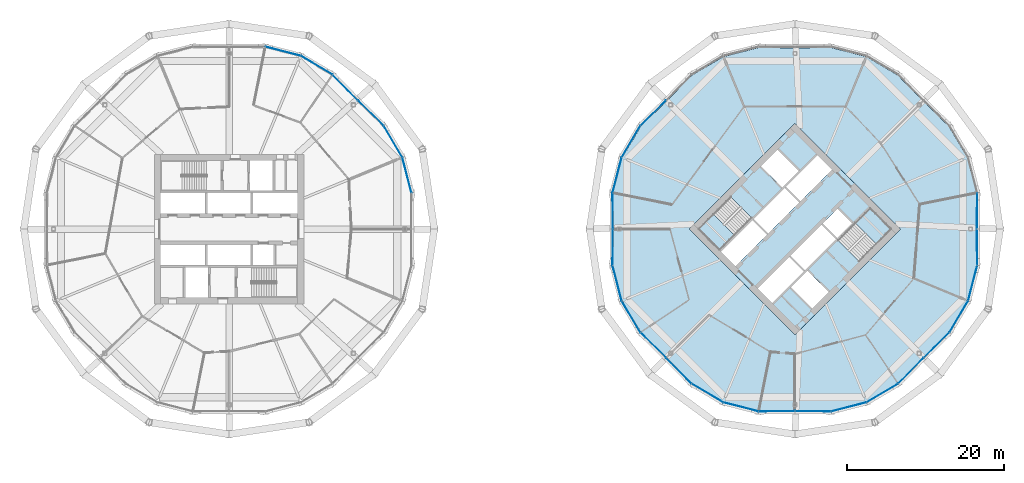
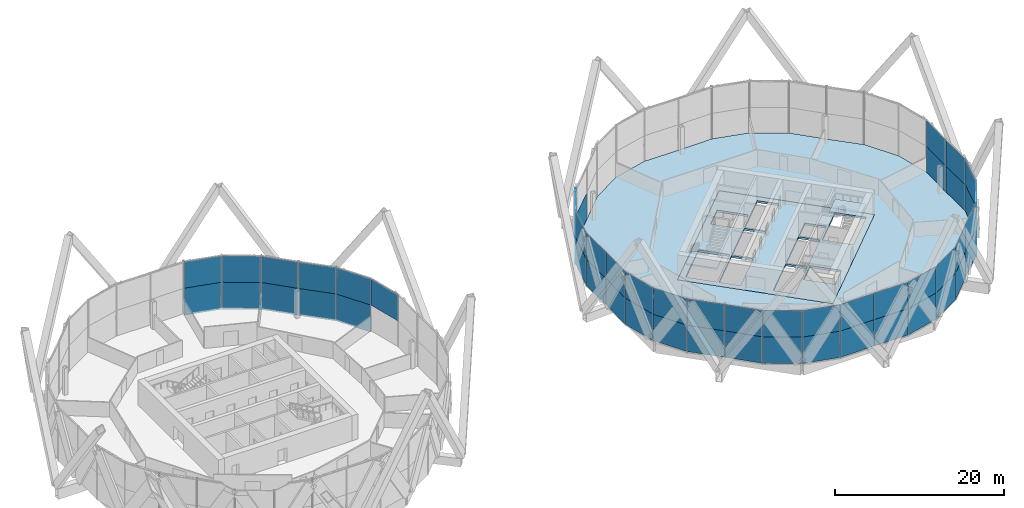
# One storey, part 20 of 28: 52 plates, 4 slabs, 10 elements without a shape of their own.
"""IFC4 building model written with IfcOpenShell, lengths in metres."""

from ifc_helpers import new_model, si_unit, direction, frame, origin, origin_2d, place, context, subcontext, project, spatial, polyline, rectangle, outline, extrude, material, layer, layer_set, type_object, element, aggregate, save


model = new_model("IFC4")

# Units and contexts
model_context = context("Model", 3, precision=1e-05, world=origin(), true_north=direction((0.0, 1.0)))
body_context = subcontext(model_context, "Body", "Model", "MODEL_VIEW")
ifc_project = project(units=[si_unit("LENGTHUNIT", "METRE"), si_unit("AREAUNIT", "SQUARE_METRE"), si_unit("VOLUMEUNIT", "CUBIC_METRE"), si_unit("PLANEANGLEUNIT", "RADIAN"), si_unit("MASSUNIT", "GRAM", prefix="KILO")], contexts=[model_context])

# Site, building, storey
site_placement = place(None, origin())
site = spatial("IfcSite", under=ifc_project, at=site_placement, CompositionType="ELEMENT")
building_placement = place(site_placement, origin())
building = spatial("IfcBuilding", under=site, at=building_placement, Name="Ogive Gate Towers", CompositionType="ELEMENT")
storey_placement = place(building_placement, frame((0.0, 0.0, 115.199951171875)))
storey = spatial("IfcBuildingStorey", under=building, at=storey_placement, Name="L27", CompositionType="ELEMENT", Elevation=115.199951171875)

# Slabs
ifc_material_1 = material(Name="Concrete C40/50", Category="concrete")
ifc_layer_1 = layer(ifc_material_1, 0.300048828125)
ifc_layer_set_1 = layer_set([ifc_layer_1], Name="Core slab C40/50 300 mm")
slab_type_1 = type_object("IfcSlabType", Name="Core slab C40/50 300 mm", PredefinedType="FLOOR", material=ifc_layer_set_1)
slab_1_placement = place(storey_placement, frame((0.0, 0.0, -0.300048828125)))
element("IfcSlab", 1, at=slab_1_placement, inside=storey, type_object=slab_type_1, Name="T2 L27 core slab", PredefinedType="FLOOR", context=body_context, shape_type="SweptSolid", body=[
    extrude(outline(polyline([(36.0, 13.43505859375), (49.43505859375, 0.0), (36.0, -13.43505859375), (22.56494140625, 0.0), (36.0, 13.43505859375)]), holes=[polyline([(30.590576171875, 1.13134765625), (26.577880859375, -2.881591796875), (28.43408203125, -4.737548828125), (32.44677734375, -0.724853515625), (30.590576171875, 1.13134765625)]), polyline([(36.548095703125, 3.37646484375), (34.69189453125, 5.232666015625), (30.767333984375, 1.30810546875), (32.62353515625, -0.548095703125), (36.548095703125, 3.37646484375)]), polyline([(36.724853515625, 3.55322265625), (40.737548828125, 7.56591796875), (38.881591796875, 9.422119140625), (34.86865234375, 5.409423828125), (36.724853515625, 3.55322265625)]), polyline([(31.262451171875, -7.56591796875), (33.118408203125, -9.422119140625), (37.13134765625, -5.409423828125), (35.275146484375, -3.55322265625), (31.262451171875, -7.56591796875)]), polyline([(39.37646484375, 0.548095703125), (35.451904296875, -3.37646484375), (37.30810546875, -5.232666015625), (41.232666015625, -1.30810546875), (39.37646484375, 0.548095703125)]), polyline([(43.283203125, 0.742431640625), (41.427001953125, 2.5986328125), (39.55322265625, 0.724853515625), (41.409423828125, -1.13134765625), (43.283203125, 0.742431640625)]), polyline([(34.408935546875, 5.30322265625), (36.4951171875, 7.389404296875), (33.790283203125, 10.093994140625), (31.704345703125, 8.008056640625), (34.408935546875, 5.30322265625)]), polyline([(35.5048828125, -7.389404296875), (38.209716796875, -10.093994140625), (40.295654296875, -8.008056640625), (37.591064453125, -5.30322265625), (35.5048828125, -7.389404296875)]), polyline([(26.40087890625, -2.70458984375), (30.512939453125, 1.406982421875), (27.80810546875, 4.11181640625), (23.6962890625, 0.0), (26.40087890625, -2.70458984375)]), polyline([(48.3037109375, 0.0), (45.59912109375, 2.70458984375), (41.487060546875, -1.406982421875), (44.19189453125, -4.11181640625), (48.3037109375, 0.0)])]), origin(), (0.0, 0.0, 1.0), 0.300048828125),
])
ifc_material_2 = material(Name="Concrete C35/45", Category="concrete")
ifc_layer_2 = layer(ifc_material_2, 0.300048828125)
ifc_layer_set_2 = layer_set([ifc_layer_2], Name="Floor slab 300")
slab_type_2 = type_object("IfcSlabType", Name="Floor slab 300", PredefinedType="FLOOR", material=ifc_layer_set_2)
slab_2_placement = place(storey_placement, frame((0.0, 0.0, -0.300048828125)))
element("IfcSlab", 2, at=slab_2_placement, inside=storey, type_object=slab_type_2, Name="T2/L27/SSL001", PredefinedType="FLOOR", context=body_context, shape_type="SweptSolid", body=[
    extrude(outline(polyline([(59.107421875, -4.596435546875), (59.06005859375, 0.0), (59.107421875, 4.596435546875), (57.951416015625, 9.092529296875), (55.58935546875, 13.08935546875), (52.305908203125, 16.305908203125), (49.08935546875, 19.58935546875), (45.092529296875, 21.951416015625), (40.596435546875, 23.107421875), (36.0, 23.06005859375), (31.403564453125, 23.107421875), (26.907470703125, 21.951416015625), (22.91064453125, 19.58935546875), (19.694091796875, 16.305908203125), (16.41064453125, 13.08935546875), (14.048583984375, 9.092529296875), (12.892578125, 4.596435546875), (12.93994140625, 0.0), (12.892578125, -4.596435546875), (14.048583984375, -9.092529296875), (16.41064453125, -13.08935546875), (19.694091796875, -16.305908203125), (22.91064453125, -19.58935546875), (26.907470703125, -21.951416015625), (31.403564453125, -23.107421875), (36.0, -23.06005859375), (40.596435546875, -23.107421875), (45.092529296875, -21.951416015625), (49.08935546875, -19.58935546875), (52.305908203125, -16.305908203125), (55.58935546875, -13.08935546875), (57.951416015625, -9.092529296875), (59.107421875, -4.596435546875)]), holes=[polyline([(49.43505859375, 0.0), (36.0, -13.43505859375), (22.56494140625, 0.0), (36.0, 13.43505859375), (49.43505859375, 0.0)])]), origin(), (0.0, 0.0, 1.0), 0.300048828125),
])

# Stair, slab
stair_type = type_object("IfcStairType", Name="Escape stair 1840 wide", PredefinedType="HALF_TURN_STAIR", material=ifc_material_1)
stair_1_placement = place(storey_placement, origin())
stair_1 = element("IfcStair", 3, at=stair_1_placement, inside=storey, type_object=stair_type, Name="L27 Escape stair 1", PredefinedType="HALF_TURN_STAIR")
ifc_layer_3 = layer(ifc_material_1, 0.199951171875)
ifc_layer_set_3 = layer_set([ifc_layer_3], Name="Stair landing 200 mm")
slab_type_3 = type_object("IfcSlabType", Name="Stair landing 200 mm", PredefinedType="LANDING", material=ifc_layer_set_3)
slab_3_placement = place(storey_placement, frame((0.0, 0.0, 1.75)))
slab_3 = element("IfcSlab", 4, at=slab_3_placement, type_object=slab_type_3, Name="ST1 landing 1", PredefinedType="LANDING", context=body_context, shape_type="SweptSolid", body=[
    extrude(outline(polyline([(25.6044921875, 1.908203125), (23.6962890625, 0.0), (26.401123046875, -2.70458984375), (28.309326171875, -0.79638671875), (25.6044921875, 1.908203125)])), origin(), (0.0, 0.0, 1.0), 0.199951171875),
])
aggregate(stair_1, [slab_3])

stair_2_placement = place(storey_placement, origin())
stair_2 = element("IfcStair", 5, at=stair_2_placement, inside=storey, type_object=stair_type, Name="L27 Escape stair 2", PredefinedType="HALF_TURN_STAIR")
slab_4_placement = place(storey_placement, frame((0.0, 0.0, 1.75)))
slab_4 = element("IfcSlab", 6, at=slab_4_placement, type_object=slab_type_3, Name="ST2 landing 1", PredefinedType="LANDING", context=body_context, shape_type="SweptSolid", body=[
    extrude(outline(polyline([(46.3955078125, -1.908203125), (48.3037109375, 0.0), (45.598876953125, 2.70458984375), (43.690673828125, 0.79638671875), (46.3955078125, -1.908203125)])), origin(), (0.0, 0.0, 1.0), 0.199951171875),
])
aggregate(stair_2, [slab_4])

# Curtain wall, plates
ifc_material_3 = material(Name="Pale metal aluminium", Category="aluminium")
curtain_wall_type = type_object("IfcCurtainWallType", Name="Tower unitised wall, low zone", PredefinedType="NOTDEFINED", material=ifc_material_3)
curtain_wall_1_placement = place(storey_placement, origin())
curtain_wall_1 = element("IfcCurtainWall", 7, at=curtain_wall_1_placement, inside=storey, type_object=curtain_wall_type, Name="CW1 T1 ECW01", PredefinedType="NOTDEFINED")
ifc_material_4 = material(Name="Clear glass", Category="glass")
ifc_layer_4 = layer(ifc_material_4, 0.028076171875)
ifc_layer_set_4 = layer_set([ifc_layer_4], Name="Tower unitised wall, low zone glass panel")
plate_type = type_object("IfcPlateType", Name="Tower unitised wall, low zone glass panel", PredefinedType="CURTAIN_PANEL", material=ifc_layer_set_4)
plate_1_placement = place(storey_placement, frame((-13.373779296875, 6.869873046875, 3.60009765625), z_axis=(0.0, 0.0, 1.0), x_axis=(-0.248977260623, 0.96850933072, 0.0)))
plate_1 = element("IfcPlate", 8, at=plate_1_placement, type_object=plate_type, Name="CW1 glass panel", PredefinedType="CURTAIN_PANEL", context=body_context, shape_type="SweptSolid", body=[
    extrude(rectangle(XDim=4.60791015625, YDim=0.028076171875, at=origin_2d()), origin(), (0.0, 0.0, 1.0), 3.803955078125),
])
plate_2_placement = place(storey_placement, frame((-15.143310546875, 11.141357421875, -0.2998046875), z_axis=(0.0, 0.0, 1.0), x_axis=(-0.508770980552, 0.860901904603, 0.0)))
plate_2 = element("IfcPlate", 9, at=plate_2_placement, type_object=plate_type, Name="CW1 glass panel", PredefinedType="CURTAIN_PANEL", context=body_context, shape_type="SweptSolid", body=[
    extrude(rectangle(XDim=4.60791015625, YDim=0.028076171875, at=origin_2d()), origin(), (0.0, 0.0, 1.0), 3.89990234375),
])
plate_3_placement = place(storey_placement, frame((-15.143310546875, 11.141357421875, 3.60009765625), z_axis=(0.0, 0.0, 1.0), x_axis=(-0.508770980552, 0.860901904603, 0.0)))
plate_3 = element("IfcPlate", 10, at=plate_3_placement, type_object=plate_type, Name="CW1 glass panel", PredefinedType="CURTAIN_PANEL", context=body_context, shape_type="SweptSolid", body=[
    extrude(rectangle(XDim=4.60791015625, YDim=0.028076171875, at=origin_2d()), origin(), (0.0, 0.0, 1.0), 3.803955078125),
])
plate_4_placement = place(storey_placement, frame((-17.978759765625, 14.765380859375, -0.2998046875), z_axis=(0.0, 0.0, 1.0), x_axis=(-0.714350554462, 0.699788028863, 0.0)))
plate_4 = element("IfcPlate", 11, at=plate_4_placement, type_object=plate_type, Name="CW1 glass panel", PredefinedType="CURTAIN_PANEL", context=body_context, shape_type="SweptSolid", body=[
    extrude(rectangle(XDim=4.55078125, YDim=0.028076171875, at=origin_2d()), origin(), (0.0, 0.0, 1.0), 3.89990234375),
])
plate_5_placement = place(storey_placement, frame((-17.978759765625, 14.765380859375, 3.60009765625), z_axis=(0.0, 0.0, 1.0), x_axis=(-0.714350554462, 0.699788028863, 0.0)))
plate_5 = element("IfcPlate", 12, at=plate_5_placement, type_object=plate_type, Name="CW1 glass panel", PredefinedType="CURTAIN_PANEL", context=body_context, shape_type="SweptSolid", body=[
    extrude(rectangle(XDim=4.55078125, YDim=0.028076171875, at=origin_2d()), origin(), (0.0, 0.0, 1.0), 3.803955078125),
])
aggregate(curtain_wall_1, [plate_1, plate_2, plate_3, plate_4, plate_5])

curtain_wall_2_placement = place(storey_placement, origin())
curtain_wall_2 = element("IfcCurtainWall", 13, at=curtain_wall_2_placement, inside=storey, type_object=curtain_wall_type, Name="CW1 T1 ECW02", PredefinedType="NOTDEFINED")
plate_6_placement = place(storey_placement, frame((-21.234619140625, 18.021240234375, -0.2998046875), z_axis=(0.0, 0.0, 1.0), x_axis=(-0.699788028863, 0.714350554462, 0.0)))
plate_6 = element("IfcPlate", 14, at=plate_6_placement, type_object=plate_type, Name="CW1 glass panel", PredefinedType="CURTAIN_PANEL", context=body_context, shape_type="SweptSolid", body=[
    extrude(rectangle(XDim=4.55078125, YDim=0.028076171875, at=origin_2d()), origin(), (0.0, 0.0, 1.0), 3.89990234375),
])
plate_7_placement = place(storey_placement, frame((-21.234619140625, 18.021240234375, 3.60009765625), z_axis=(0.0, 0.0, 1.0), x_axis=(-0.699788028863, 0.714350554462, 0.0)))
plate_7 = element("IfcPlate", 15, at=plate_7_placement, type_object=plate_type, Name="CW1 glass panel", PredefinedType="CURTAIN_PANEL", context=body_context, shape_type="SweptSolid", body=[
    extrude(rectangle(XDim=4.55078125, YDim=0.028076171875, at=origin_2d()), origin(), (0.0, 0.0, 1.0), 3.803955078125),
])
plate_8_placement = place(storey_placement, frame((-24.858642578125, 20.856689453125, -0.2998046875), z_axis=(0.0, 0.0, 1.0), x_axis=(-0.860901904603, 0.508770980552, 0.0)))
plate_8 = element("IfcPlate", 16, at=plate_8_placement, type_object=plate_type, Name="CW1 glass panel", PredefinedType="CURTAIN_PANEL", context=body_context, shape_type="SweptSolid", body=[
    extrude(rectangle(XDim=4.60791015625, YDim=0.028076171875, at=origin_2d()), origin(), (0.0, 0.0, 1.0), 3.89990234375),
])
plate_9_placement = place(storey_placement, frame((-24.858642578125, 20.856689453125, 3.60009765625), z_axis=(0.0, 0.0, 1.0), x_axis=(-0.860901904603, 0.508770980552, 0.0)))
plate_9 = element("IfcPlate", 17, at=plate_9_placement, type_object=plate_type, Name="CW1 glass panel", PredefinedType="CURTAIN_PANEL", context=body_context, shape_type="SweptSolid", body=[
    extrude(rectangle(XDim=4.60791015625, YDim=0.028076171875, at=origin_2d()), origin(), (0.0, 0.0, 1.0), 3.803955078125),
])
plate_10_placement = place(storey_placement, frame((-29.130126953125, 22.626220703125, -0.2998046875), z_axis=(0.0, 0.0, 1.0), x_axis=(-0.96850933072, 0.248977260623, 0.0)))
plate_10 = element("IfcPlate", 18, at=plate_10_placement, type_object=plate_type, Name="CW1 glass panel", PredefinedType="CURTAIN_PANEL", context=body_context, shape_type="SweptSolid", body=[
    extrude(rectangle(XDim=4.60791015625, YDim=0.028076171875, at=origin_2d()), origin(), (0.0, 0.0, 1.0), 3.89990234375),
])
plate_11_placement = place(storey_placement, frame((-29.130126953125, 22.626220703125, 3.60009765625), z_axis=(0.0, 0.0, 1.0), x_axis=(-0.96850933072, 0.248977260623, 0.0)))
plate_11 = element("IfcPlate", 19, at=plate_11_placement, type_object=plate_type, Name="CW1 glass panel", PredefinedType="CURTAIN_PANEL", context=body_context, shape_type="SweptSolid", body=[
    extrude(rectangle(XDim=4.60791015625, YDim=0.028076171875, at=origin_2d()), origin(), (0.0, 0.0, 1.0), 3.803955078125),
])
aggregate(curtain_wall_2, [plate_6, plate_7, plate_8, plate_9, plate_10, plate_11])

curtain_wall_3_placement = place(storey_placement, origin())
curtain_wall_3 = element("IfcCurtainWall", 20, at=curtain_wall_3_placement, inside=storey, type_object=curtain_wall_type, Name="CW1 T2 ECW01", PredefinedType="NOTDEFINED")
plate_12_placement = place(storey_placement, frame((59.18359375, 2.30224609375, -0.2041015625), z_axis=(0.0, 0.0, 1.0), x_axis=(0.010279808233, 0.999947161375, 0.0)))
plate_12 = element("IfcPlate", 21, at=plate_12_placement, type_object=plate_type, Name="CW1 glass panel", PredefinedType="CURTAIN_PANEL", context=body_context, shape_type="SweptSolid", body=[
    extrude(rectangle(XDim=4.55078125, YDim=0.028076171875, at=origin_2d()), origin(), (0.0, 0.0, 1.0), 3.803955078125),
])
plate_13_placement = place(storey_placement, frame((59.18359375, 2.30224609375, 3.60009765625), z_axis=(0.0, 0.0, 1.0), x_axis=(0.010279808233, 0.999947161375, 0.0)))
plate_13 = element("IfcPlate", 22, at=plate_13_placement, type_object=plate_type, Name="CW1 glass panel", PredefinedType="CURTAIN_PANEL", context=body_context, shape_type="SweptSolid", body=[
    extrude(rectangle(XDim=4.55078125, YDim=0.028076171875, at=origin_2d()), origin(), (0.0, 0.0, 1.0), 3.803955078125),
])
aggregate(curtain_wall_3, [plate_12, plate_13])

curtain_wall_4_placement = place(storey_placement, origin())
curtain_wall_4 = element("IfcCurtainWall", 23, at=curtain_wall_4_placement, inside=storey, type_object=curtain_wall_type, Name="CW1 T2 ECW04", PredefinedType="NOTDEFINED")
plate_14_placement = place(storey_placement, frame((17.978759765625, 14.765380859375, -0.2041015625), z_axis=(0.0, 0.0, 1.0), x_axis=(-0.714350554462, -0.699788028863, 0.0)))
plate_14 = element("IfcPlate", 24, at=plate_14_placement, type_object=plate_type, Name="CW1 glass panel", PredefinedType="CURTAIN_PANEL", context=body_context, shape_type="SweptSolid", body=[
    extrude(rectangle(XDim=4.55078125, YDim=0.028076171875, at=origin_2d()), origin(), (0.0, 0.0, 1.0), 3.803955078125),
])
plate_15_placement = place(storey_placement, frame((15.143310546875, 11.141357421875, -0.2041015625), z_axis=(0.0, 0.0, 1.0), x_axis=(-0.508770980552, -0.860901904603, 0.0)))
plate_15 = element("IfcPlate", 25, at=plate_15_placement, type_object=plate_type, Name="CW1 glass panel", PredefinedType="CURTAIN_PANEL", context=body_context, shape_type="SweptSolid", body=[
    extrude(rectangle(XDim=4.60791015625, YDim=0.028076171875, at=origin_2d()), origin(), (0.0, 0.0, 1.0), 3.803955078125),
])
plate_16_placement = place(storey_placement, frame((15.143310546875, 11.141357421875, 3.60009765625), z_axis=(0.0, 0.0, 1.0), x_axis=(-0.508770980552, -0.860901904603, 0.0)))
plate_16 = element("IfcPlate", 26, at=plate_16_placement, type_object=plate_type, Name="CW1 glass panel", PredefinedType="CURTAIN_PANEL", context=body_context, shape_type="SweptSolid", body=[
    extrude(rectangle(XDim=4.60791015625, YDim=0.028076171875, at=origin_2d()), origin(), (0.0, 0.0, 1.0), 3.803955078125),
])
plate_17_placement = place(storey_placement, frame((13.373779296875, 6.869873046875, -0.2041015625), z_axis=(0.0, 0.0, 1.0), x_axis=(-0.248977260623, -0.96850933072, 0.0)))
plate_17 = element("IfcPlate", 27, at=plate_17_placement, type_object=plate_type, Name="CW1 glass panel", PredefinedType="CURTAIN_PANEL", context=body_context, shape_type="SweptSolid", body=[
    extrude(rectangle(XDim=4.60791015625, YDim=0.028076171875, at=origin_2d()), origin(), (0.0, 0.0, 1.0), 3.803955078125),
])
plate_18_placement = place(storey_placement, frame((13.373779296875, 6.869873046875, 3.60009765625), z_axis=(0.0, 0.0, 1.0), x_axis=(-0.248977260623, -0.96850933072, 0.0)))
plate_18 = element("IfcPlate", 28, at=plate_18_placement, type_object=plate_type, Name="CW1 glass panel", PredefinedType="CURTAIN_PANEL", context=body_context, shape_type="SweptSolid", body=[
    extrude(rectangle(XDim=4.60791015625, YDim=0.028076171875, at=origin_2d()), origin(), (0.0, 0.0, 1.0), 3.803955078125),
])
plate_19_placement = place(storey_placement, frame((12.81640625, 2.30224609375, -0.2041015625), z_axis=(0.0, 0.0, 1.0), x_axis=(0.010279808233, -0.999947161375, 0.0)))
plate_19 = element("IfcPlate", 29, at=plate_19_placement, type_object=plate_type, Name="CW1 glass panel", PredefinedType="CURTAIN_PANEL", context=body_context, shape_type="SweptSolid", body=[
    extrude(rectangle(XDim=4.55078125, YDim=0.028076171875, at=origin_2d()), origin(), (0.0, 0.0, 1.0), 3.803955078125),
])
plate_20_placement = place(storey_placement, frame((12.81640625, 2.30224609375, 3.60009765625), z_axis=(0.0, 0.0, 1.0), x_axis=(0.010279808233, -0.999947161375, 0.0)))
plate_20 = element("IfcPlate", 30, at=plate_20_placement, type_object=plate_type, Name="CW1 glass panel", PredefinedType="CURTAIN_PANEL", context=body_context, shape_type="SweptSolid", body=[
    extrude(rectangle(XDim=4.55078125, YDim=0.028076171875, at=origin_2d()), origin(), (0.0, 0.0, 1.0), 3.803955078125),
])
aggregate(curtain_wall_4, [plate_14, plate_15, plate_16, plate_17, plate_18, plate_19, plate_20])

curtain_wall_5_placement = place(storey_placement, origin())
curtain_wall_5 = element("IfcCurtainWall", 31, at=curtain_wall_5_placement, inside=storey, type_object=curtain_wall_type, Name="CW1 T2 ECW05", PredefinedType="NOTDEFINED")
plate_21_placement = place(storey_placement, frame((12.81640625, -2.30224609375, -0.2041015625), z_axis=(0.0, 0.0, 1.0), x_axis=(-0.010279808233, -0.999947161375, 0.0)))
plate_21 = element("IfcPlate", 32, at=plate_21_placement, type_object=plate_type, Name="CW1 glass panel", PredefinedType="CURTAIN_PANEL", context=body_context, shape_type="SweptSolid", body=[
    extrude(rectangle(XDim=4.55078125, YDim=0.028076171875, at=origin_2d()), origin(), (0.0, 0.0, 1.0), 3.803955078125),
])
plate_22_placement = place(storey_placement, frame((12.81640625, -2.30224609375, 3.60009765625), z_axis=(0.0, 0.0, 1.0), x_axis=(-0.010279808233, -0.999947161375, 0.0)))
plate_22 = element("IfcPlate", 33, at=plate_22_placement, type_object=plate_type, Name="CW1 glass panel", PredefinedType="CURTAIN_PANEL", context=body_context, shape_type="SweptSolid", body=[
    extrude(rectangle(XDim=4.55078125, YDim=0.028076171875, at=origin_2d()), origin(), (0.0, 0.0, 1.0), 3.803955078125),
])
plate_23_placement = place(storey_placement, frame((13.373779296875, -6.869873046875, -0.2041015625), z_axis=(0.0, 0.0, 1.0), x_axis=(0.248977260623, -0.96850933072, 0.0)))
plate_23 = element("IfcPlate", 34, at=plate_23_placement, type_object=plate_type, Name="CW1 glass panel", PredefinedType="CURTAIN_PANEL", context=body_context, shape_type="SweptSolid", body=[
    extrude(rectangle(XDim=4.60791015625, YDim=0.028076171875, at=origin_2d()), origin(), (0.0, 0.0, 1.0), 3.803955078125),
])
plate_24_placement = place(storey_placement, frame((13.373779296875, -6.869873046875, 3.60009765625), z_axis=(0.0, 0.0, 1.0), x_axis=(0.248977260623, -0.96850933072, 0.0)))
plate_24 = element("IfcPlate", 35, at=plate_24_placement, type_object=plate_type, Name="CW1 glass panel", PredefinedType="CURTAIN_PANEL", context=body_context, shape_type="SweptSolid", body=[
    extrude(rectangle(XDim=4.60791015625, YDim=0.028076171875, at=origin_2d()), origin(), (0.0, 0.0, 1.0), 3.803955078125),
])
plate_25_placement = place(storey_placement, frame((15.143310546875, -11.141357421875, -0.2041015625), z_axis=(0.0, 0.0, 1.0), x_axis=(0.508770980552, -0.860901904603, 0.0)))
plate_25 = element("IfcPlate", 36, at=plate_25_placement, type_object=plate_type, Name="CW1 glass panel", PredefinedType="CURTAIN_PANEL", context=body_context, shape_type="SweptSolid", body=[
    extrude(rectangle(XDim=4.60791015625, YDim=0.028076171875, at=origin_2d()), origin(), (0.0, 0.0, 1.0), 3.803955078125),
])
plate_26_placement = place(storey_placement, frame((15.143310546875, -11.141357421875, 3.60009765625), z_axis=(0.0, 0.0, 1.0), x_axis=(0.508770980552, -0.860901904603, 0.0)))
plate_26 = element("IfcPlate", 37, at=plate_26_placement, type_object=plate_type, Name="CW1 glass panel", PredefinedType="CURTAIN_PANEL", context=body_context, shape_type="SweptSolid", body=[
    extrude(rectangle(XDim=4.60791015625, YDim=0.028076171875, at=origin_2d()), origin(), (0.0, 0.0, 1.0), 3.803955078125),
])
plate_27_placement = place(storey_placement, frame((17.978759765625, -14.765380859375, -0.2041015625), z_axis=(0.0, 0.0, 1.0), x_axis=(0.714350554462, -0.699788028863, 0.0)))
plate_27 = element("IfcPlate", 38, at=plate_27_placement, type_object=plate_type, Name="CW1 glass panel", PredefinedType="CURTAIN_PANEL", context=body_context, shape_type="SweptSolid", body=[
    extrude(rectangle(XDim=4.55078125, YDim=0.028076171875, at=origin_2d()), origin(), (0.0, 0.0, 1.0), 3.803955078125),
])
plate_28_placement = place(storey_placement, frame((17.978759765625, -14.765380859375, 3.60009765625), z_axis=(0.0, 0.0, 1.0), x_axis=(0.714350554462, -0.699788028863, 0.0)))
plate_28 = element("IfcPlate", 39, at=plate_28_placement, type_object=plate_type, Name="CW1 glass panel", PredefinedType="CURTAIN_PANEL", context=body_context, shape_type="SweptSolid", body=[
    extrude(rectangle(XDim=4.55078125, YDim=0.028076171875, at=origin_2d()), origin(), (0.0, 0.0, 1.0), 3.803955078125),
])
aggregate(curtain_wall_5, [plate_21, plate_22, plate_23, plate_24, plate_25, plate_26, plate_27, plate_28])

curtain_wall_6_placement = place(storey_placement, origin())
curtain_wall_6 = element("IfcCurtainWall", 40, at=curtain_wall_6_placement, inside=storey, type_object=curtain_wall_type, Name="CW1 T2 ECW06", PredefinedType="NOTDEFINED")
plate_29_placement = place(storey_placement, frame((21.234619140625, -18.021240234375, -0.2041015625), z_axis=(0.0, 0.0, 1.0), x_axis=(0.699788028863, -0.714350554462, 0.0)))
plate_29 = element("IfcPlate", 41, at=plate_29_placement, type_object=plate_type, Name="CW1 glass panel", PredefinedType="CURTAIN_PANEL", context=body_context, shape_type="SweptSolid", body=[
    extrude(rectangle(XDim=4.55078125, YDim=0.028076171875, at=origin_2d()), origin(), (0.0, 0.0, 1.0), 3.803955078125),
])
plate_30_placement = place(storey_placement, frame((21.234619140625, -18.021240234375, 3.60009765625), z_axis=(0.0, 0.0, 1.0), x_axis=(0.699788028863, -0.714350554462, 0.0)))
plate_30 = element("IfcPlate", 42, at=plate_30_placement, type_object=plate_type, Name="CW1 glass panel", PredefinedType="CURTAIN_PANEL", context=body_context, shape_type="SweptSolid", body=[
    extrude(rectangle(XDim=4.55078125, YDim=0.028076171875, at=origin_2d()), origin(), (0.0, 0.0, 1.0), 3.803955078125),
])
plate_31_placement = place(storey_placement, frame((24.858642578125, -20.856689453125, -0.2041015625), z_axis=(0.0, 0.0, 1.0), x_axis=(0.860901904603, -0.508770980552, 0.0)))
plate_31 = element("IfcPlate", 43, at=plate_31_placement, type_object=plate_type, Name="CW1 glass panel", PredefinedType="CURTAIN_PANEL", context=body_context, shape_type="SweptSolid", body=[
    extrude(rectangle(XDim=4.60791015625, YDim=0.028076171875, at=origin_2d()), origin(), (0.0, 0.0, 1.0), 3.803955078125),
])
plate_32_placement = place(storey_placement, frame((24.858642578125, -20.856689453125, 3.60009765625), z_axis=(0.0, 0.0, 1.0), x_axis=(0.860901904603, -0.508770980552, 0.0)))
plate_32 = element("IfcPlate", 44, at=plate_32_placement, type_object=plate_type, Name="CW1 glass panel", PredefinedType="CURTAIN_PANEL", context=body_context, shape_type="SweptSolid", body=[
    extrude(rectangle(XDim=4.60791015625, YDim=0.028076171875, at=origin_2d()), origin(), (0.0, 0.0, 1.0), 3.803955078125),
])
plate_33_placement = place(storey_placement, frame((29.130126953125, -22.626220703125, -0.2041015625), z_axis=(0.0, 0.0, 1.0), x_axis=(0.96850933072, -0.248977260623, 0.0)))
plate_33 = element("IfcPlate", 45, at=plate_33_placement, type_object=plate_type, Name="CW1 glass panel", PredefinedType="CURTAIN_PANEL", context=body_context, shape_type="SweptSolid", body=[
    extrude(rectangle(XDim=4.60791015625, YDim=0.028076171875, at=origin_2d()), origin(), (0.0, 0.0, 1.0), 3.803955078125),
])
plate_34_placement = place(storey_placement, frame((29.130126953125, -22.626220703125, 3.60009765625), z_axis=(0.0, 0.0, 1.0), x_axis=(0.96850933072, -0.248977260623, 0.0)))
plate_34 = element("IfcPlate", 46, at=plate_34_placement, type_object=plate_type, Name="CW1 glass panel", PredefinedType="CURTAIN_PANEL", context=body_context, shape_type="SweptSolid", body=[
    extrude(rectangle(XDim=4.60791015625, YDim=0.028076171875, at=origin_2d()), origin(), (0.0, 0.0, 1.0), 3.803955078125),
])
plate_35_placement = place(storey_placement, frame((33.69775390625, -23.18359375, -0.2041015625), z_axis=(0.0, 0.0, 1.0), x_axis=(0.999947161375, 0.010279808233, 0.0)))
plate_35 = element("IfcPlate", 47, at=plate_35_placement, type_object=plate_type, Name="CW1 glass panel", PredefinedType="CURTAIN_PANEL", context=body_context, shape_type="SweptSolid", body=[
    extrude(rectangle(XDim=4.55078125, YDim=0.028076171875, at=origin_2d()), origin(), (0.0, 0.0, 1.0), 3.803955078125),
])
plate_36_placement = place(storey_placement, frame((33.69775390625, -23.18359375, 3.60009765625), z_axis=(0.0, 0.0, 1.0), x_axis=(0.999947161375, 0.010279808233, 0.0)))
plate_36 = element("IfcPlate", 48, at=plate_36_placement, type_object=plate_type, Name="CW1 glass panel", PredefinedType="CURTAIN_PANEL", context=body_context, shape_type="SweptSolid", body=[
    extrude(rectangle(XDim=4.55078125, YDim=0.028076171875, at=origin_2d()), origin(), (0.0, 0.0, 1.0), 3.803955078125),
])
aggregate(curtain_wall_6, [plate_29, plate_30, plate_31, plate_32, plate_33, plate_34, plate_35, plate_36])

curtain_wall_7_placement = place(storey_placement, origin())
curtain_wall_7 = element("IfcCurtainWall", 49, at=curtain_wall_7_placement, inside=storey, type_object=curtain_wall_type, Name="CW1 T2 ECW07", PredefinedType="NOTDEFINED")
plate_37_placement = place(storey_placement, frame((38.30224609375, -23.18359375, -0.2041015625), z_axis=(0.0, 0.0, 1.0), x_axis=(0.999947161375, -0.010279808233, 0.0)))
plate_37 = element("IfcPlate", 50, at=plate_37_placement, type_object=plate_type, Name="CW1 glass panel", PredefinedType="CURTAIN_PANEL", context=body_context, shape_type="SweptSolid", body=[
    extrude(rectangle(XDim=4.55078125, YDim=0.028076171875, at=origin_2d()), origin(), (0.0, 0.0, 1.0), 3.803955078125),
])
plate_38_placement = place(storey_placement, frame((38.30224609375, -23.18359375, 3.60009765625), z_axis=(0.0, 0.0, 1.0), x_axis=(0.999947161375, -0.010279808233, 0.0)))
plate_38 = element("IfcPlate", 51, at=plate_38_placement, type_object=plate_type, Name="CW1 glass panel", PredefinedType="CURTAIN_PANEL", context=body_context, shape_type="SweptSolid", body=[
    extrude(rectangle(XDim=4.55078125, YDim=0.028076171875, at=origin_2d()), origin(), (0.0, 0.0, 1.0), 3.803955078125),
])
plate_39_placement = place(storey_placement, frame((42.869873046875, -22.626220703125, -0.2041015625), z_axis=(0.0, 0.0, 1.0), x_axis=(0.96850933072, 0.248977260623, 0.0)))
plate_39 = element("IfcPlate", 52, at=plate_39_placement, type_object=plate_type, Name="CW1 glass panel", PredefinedType="CURTAIN_PANEL", context=body_context, shape_type="SweptSolid", body=[
    extrude(rectangle(XDim=4.60791015625, YDim=0.028076171875, at=origin_2d()), origin(), (0.0, 0.0, 1.0), 3.803955078125),
])
plate_40_placement = place(storey_placement, frame((42.869873046875, -22.626220703125, 3.60009765625), z_axis=(0.0, 0.0, 1.0), x_axis=(0.96850933072, 0.248977260623, 0.0)))
plate_40 = element("IfcPlate", 53, at=plate_40_placement, type_object=plate_type, Name="CW1 glass panel", PredefinedType="CURTAIN_PANEL", context=body_context, shape_type="SweptSolid", body=[
    extrude(rectangle(XDim=4.60791015625, YDim=0.028076171875, at=origin_2d()), origin(), (0.0, 0.0, 1.0), 3.803955078125),
])
plate_41_placement = place(storey_placement, frame((47.141357421875, -20.856689453125, -0.2041015625), z_axis=(0.0, 0.0, 1.0), x_axis=(0.860901904603, 0.508770980552, 0.0)))
plate_41 = element("IfcPlate", 54, at=plate_41_placement, type_object=plate_type, Name="CW1 glass panel", PredefinedType="CURTAIN_PANEL", context=body_context, shape_type="SweptSolid", body=[
    extrude(rectangle(XDim=4.60791015625, YDim=0.028076171875, at=origin_2d()), origin(), (0.0, 0.0, 1.0), 3.803955078125),
])
plate_42_placement = place(storey_placement, frame((47.141357421875, -20.856689453125, 3.60009765625), z_axis=(0.0, 0.0, 1.0), x_axis=(0.860901904603, 0.508770980552, 0.0)))
plate_42 = element("IfcPlate", 55, at=plate_42_placement, type_object=plate_type, Name="CW1 glass panel", PredefinedType="CURTAIN_PANEL", context=body_context, shape_type="SweptSolid", body=[
    extrude(rectangle(XDim=4.60791015625, YDim=0.028076171875, at=origin_2d()), origin(), (0.0, 0.0, 1.0), 3.803955078125),
])
plate_43_placement = place(storey_placement, frame((50.765380859375, -18.021240234375, -0.2041015625), z_axis=(0.0, 0.0, 1.0), x_axis=(0.699788028863, 0.714350554462, 0.0)))
plate_43 = element("IfcPlate", 56, at=plate_43_placement, type_object=plate_type, Name="CW1 glass panel", PredefinedType="CURTAIN_PANEL", context=body_context, shape_type="SweptSolid", body=[
    extrude(rectangle(XDim=4.55078125, YDim=0.028076171875, at=origin_2d()), origin(), (0.0, 0.0, 1.0), 3.803955078125),
])
plate_44_placement = place(storey_placement, frame((50.765380859375, -18.021240234375, 3.60009765625), z_axis=(0.0, 0.0, 1.0), x_axis=(0.699788028863, 0.714350554462, 0.0)))
plate_44 = element("IfcPlate", 57, at=plate_44_placement, type_object=plate_type, Name="CW1 glass panel", PredefinedType="CURTAIN_PANEL", context=body_context, shape_type="SweptSolid", body=[
    extrude(rectangle(XDim=4.55078125, YDim=0.028076171875, at=origin_2d()), origin(), (0.0, 0.0, 1.0), 3.803955078125),
])
aggregate(curtain_wall_7, [plate_37, plate_38, plate_39, plate_40, plate_41, plate_42, plate_43, plate_44])

curtain_wall_8_placement = place(storey_placement, origin())
curtain_wall_8 = element("IfcCurtainWall", 58, at=curtain_wall_8_placement, inside=storey, type_object=curtain_wall_type, Name="CW1 T2 ECW08", PredefinedType="NOTDEFINED")
plate_45_placement = place(storey_placement, frame((54.021240234375, -14.765380859375, -0.2041015625), z_axis=(0.0, 0.0, 1.0), x_axis=(0.714350554462, 0.699788028863, 0.0)))
plate_45 = element("IfcPlate", 59, at=plate_45_placement, type_object=plate_type, Name="CW1 glass panel", PredefinedType="CURTAIN_PANEL", context=body_context, shape_type="SweptSolid", body=[
    extrude(rectangle(XDim=4.55078125, YDim=0.028076171875, at=origin_2d()), origin(), (0.0, 0.0, 1.0), 3.803955078125),
])
plate_46_placement = place(storey_placement, frame((54.021240234375, -14.765380859375, 3.60009765625), z_axis=(0.0, 0.0, 1.0), x_axis=(0.714350554462, 0.699788028863, 0.0)))
plate_46 = element("IfcPlate", 60, at=plate_46_placement, type_object=plate_type, Name="CW1 glass panel", PredefinedType="CURTAIN_PANEL", context=body_context, shape_type="SweptSolid", body=[
    extrude(rectangle(XDim=4.55078125, YDim=0.028076171875, at=origin_2d()), origin(), (0.0, 0.0, 1.0), 3.803955078125),
])
plate_47_placement = place(storey_placement, frame((56.856689453125, -11.141357421875, -0.2041015625), z_axis=(0.0, 0.0, 1.0), x_axis=(0.508770980552, 0.860901904603, 0.0)))
plate_47 = element("IfcPlate", 61, at=plate_47_placement, type_object=plate_type, Name="CW1 glass panel", PredefinedType="CURTAIN_PANEL", context=body_context, shape_type="SweptSolid", body=[
    extrude(rectangle(XDim=4.60791015625, YDim=0.028076171875, at=origin_2d()), origin(), (0.0, 0.0, 1.0), 3.803955078125),
])
plate_48_placement = place(storey_placement, frame((56.856689453125, -11.141357421875, 3.60009765625), z_axis=(0.0, 0.0, 1.0), x_axis=(0.508770980552, 0.860901904603, 0.0)))
plate_48 = element("IfcPlate", 62, at=plate_48_placement, type_object=plate_type, Name="CW1 glass panel", PredefinedType="CURTAIN_PANEL", context=body_context, shape_type="SweptSolid", body=[
    extrude(rectangle(XDim=4.60791015625, YDim=0.028076171875, at=origin_2d()), origin(), (0.0, 0.0, 1.0), 3.803955078125),
])
plate_49_placement = place(storey_placement, frame((58.626220703125, -6.869873046875, -0.2041015625), z_axis=(0.0, 0.0, 1.0), x_axis=(0.248977260623, 0.96850933072, 0.0)))
plate_49 = element("IfcPlate", 63, at=plate_49_placement, type_object=plate_type, Name="CW1 glass panel", PredefinedType="CURTAIN_PANEL", context=body_context, shape_type="SweptSolid", body=[
    extrude(rectangle(XDim=4.60791015625, YDim=0.028076171875, at=origin_2d()), origin(), (0.0, 0.0, 1.0), 3.803955078125),
])
plate_50_placement = place(storey_placement, frame((58.626220703125, -6.869873046875, 3.60009765625), z_axis=(0.0, 0.0, 1.0), x_axis=(0.248977260623, 0.96850933072, 0.0)))
plate_50 = element("IfcPlate", 64, at=plate_50_placement, type_object=plate_type, Name="CW1 glass panel", PredefinedType="CURTAIN_PANEL", context=body_context, shape_type="SweptSolid", body=[
    extrude(rectangle(XDim=4.60791015625, YDim=0.028076171875, at=origin_2d()), origin(), (0.0, 0.0, 1.0), 3.803955078125),
])
plate_51_placement = place(storey_placement, frame((59.18359375, -2.30224609375, -0.2041015625), z_axis=(0.0, 0.0, 1.0), x_axis=(-0.010279808233, 0.999947161375, 0.0)))
plate_51 = element("IfcPlate", 65, at=plate_51_placement, type_object=plate_type, Name="CW1 glass panel", PredefinedType="CURTAIN_PANEL", context=body_context, shape_type="SweptSolid", body=[
    extrude(rectangle(XDim=4.55078125, YDim=0.028076171875, at=origin_2d()), origin(), (0.0, 0.0, 1.0), 3.803955078125),
])
plate_52_placement = place(storey_placement, frame((59.18359375, -2.30224609375, 3.60009765625), z_axis=(0.0, 0.0, 1.0), x_axis=(-0.010279808233, 0.999947161375, 0.0)))
plate_52 = element("IfcPlate", 66, at=plate_52_placement, type_object=plate_type, Name="CW1 glass panel", PredefinedType="CURTAIN_PANEL", context=body_context, shape_type="SweptSolid", body=[
    extrude(rectangle(XDim=4.55078125, YDim=0.028076171875, at=origin_2d()), origin(), (0.0, 0.0, 1.0), 3.803955078125),
])
aggregate(curtain_wall_8, [plate_45, plate_46, plate_47, plate_48, plate_49, plate_50, plate_51, plate_52])

save(model, "model.ifc")
